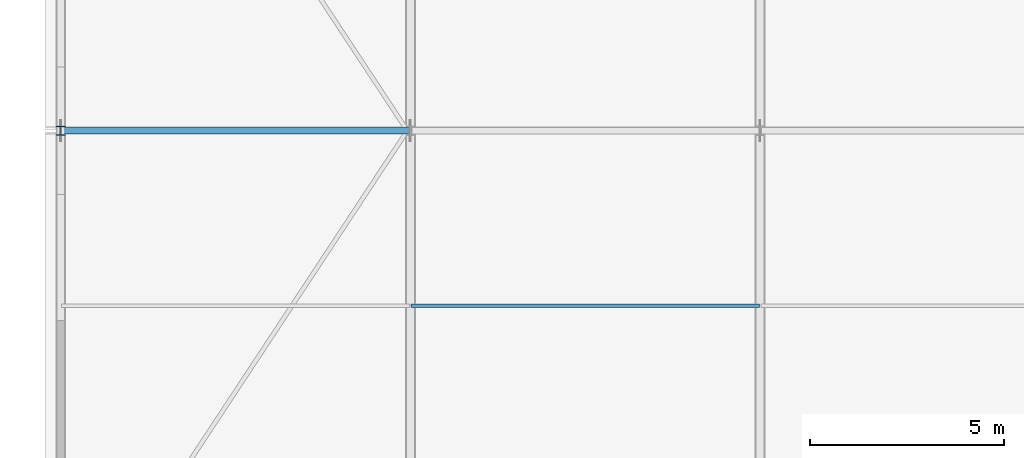
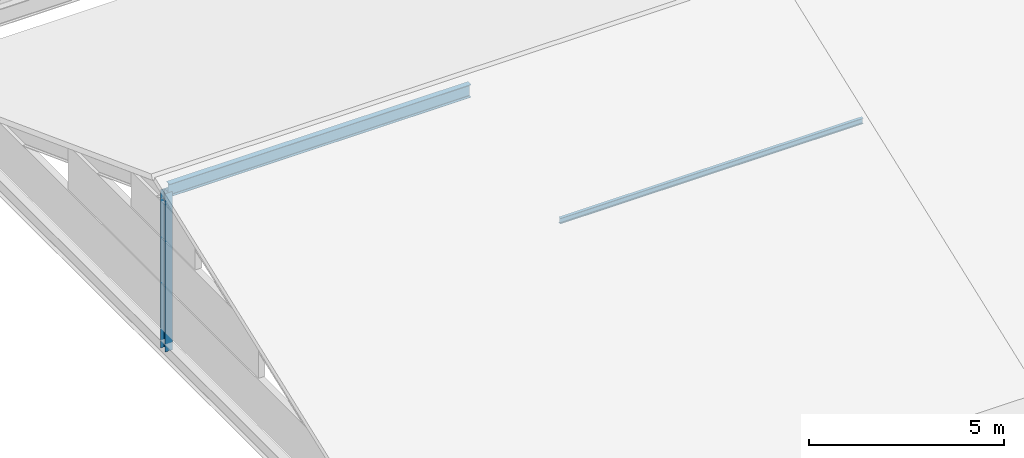
# One storey, part 28 of 163: 3 members.
"""IFC4 building model written with IfcOpenShell, lengths in metres."""

import ifcopenshell
import ifcopenshell.guid

model = None  # the IFC model being written
_history = None  # IfcOwnerHistory: only IFC2X3 demands one
_inside = {}  # id of a spatial element -> (the spatial element, [elements in it])
_under = {}  # id of a project, library or spatial element -> (it, [spatial elements below it])
_declared = {}  # id of a project -> (the project, [libraries it declares])
_typed = {}  # id of a type object -> (the type object, [elements of that type])
_made_of = {}  # id of a material, layer set ... -> (it, [elements and type objects made of it])


def new_model(schema):
    """Start an empty IFC model of exactly this schema.

    Asked for "IFC4X3", IfcOpenShell would pick the latest addendum, in which some entities
    have other attributes; the version numbers below select the first issue.
    IFC2X3 requires an IfcOwnerHistory on every rooted entity: one is made here for all.
    """
    global model, _history
    if schema == "IFC4X3":
        model = ifcopenshell.file(schema_version=(4, 3, 0, 0))
    else:
        model = ifcopenshell.file(schema=schema)
    _inside.clear()
    _under.clear()
    _declared.clear()
    _typed.clear()
    _made_of.clear()
    _history = None
    if model.schema == "IFC2X3":
        org = make("IfcOrganization", Name="unknown")
        user = make(
            "IfcPersonAndOrganization",
            ThePerson=make("IfcPerson", FamilyName="unknown"),
            TheOrganization=org,
        )
        app = make(
            "IfcApplication",
            ApplicationDeveloper=org,
            Version="unknown",
            ApplicationFullName="unknown",
            ApplicationIdentifier="unknown",
        )
        _history = make(
            "IfcOwnerHistory",
            OwningUser=user,
            OwningApplication=app,
            ChangeAction="ADDED",
            CreationDate=0,
        )
    return model


def make(cls, **values):
    """One entity of the class cls with the attributes given. An attribute that is None is left unset."""
    return model.create_entity(
        cls, **{name: value for name, value in values.items() if value is not None}
    )


def rooted(cls, **values):
    """An entity with a GlobalId (a new one), such as an element, a storey or a relation."""
    return make(cls, GlobalId=ifcopenshell.guid.new(), OwnerHistory=_history, **values)


def si_unit(unit_type, name, prefix=None):
    """IfcSIUnit, for example si_unit("LENGTHUNIT", "METRE", prefix="MILLI")."""
    return make("IfcSIUnit", UnitType=unit_type, Prefix=prefix, Name=name)


def assignment(units):
    """IfcUnitAssignment: the units of a project."""
    return None if units is None else make("IfcUnitAssignment", Units=units)


def point(xyz):
    """IfcCartesianPoint."""
    return None if xyz is None else make("IfcCartesianPoint", Coordinates=xyz)


def direction(xyz):
    """IfcDirection."""
    return None if xyz is None else make("IfcDirection", DirectionRatios=xyz)


def frame(location, z_axis=None, x_axis=None):
    """IfcAxis2Placement3D, a coordinate frame: its origin and axes. An axis left out is left unset."""
    return make(
        "IfcAxis2Placement3D",
        Location=point(location),
        Axis=direction(z_axis),
        RefDirection=direction(x_axis),
    )


def frame_2d(location, x_axis=None):
    """IfcAxis2Placement2D, a coordinate frame in the plane: its origin and x axis."""
    return make(
        "IfcAxis2Placement2D", Location=point(location), RefDirection=direction(x_axis)
    )


def origin():
    """The frame at (0, 0, 0) with its axes left unset."""
    return frame((0.0, 0.0, 0.0))


def origin_2d():
    """The frame at (0, 0) in the plane with its x axis left unset."""
    return frame_2d((0.0, 0.0))


def place(relative_to, where):
    """IfcLocalPlacement: puts the frame where relative to a parent placement (None: the world)."""
    return make(
        "IfcLocalPlacement", PlacementRelTo=relative_to, RelativePlacement=where
    )


def context(
    kind, dimensions, precision=None, world=None, true_north=None, identifier=None
):
    """IfcGeometricRepresentationContext, for example the 3D "Model" context."""
    return make(
        "IfcGeometricRepresentationContext",
        ContextIdentifier=identifier,
        ContextType=kind,
        CoordinateSpaceDimension=dimensions,
        Precision=precision,
        WorldCoordinateSystem=world,
        TrueNorth=true_north,
    )


def subcontext(parent, identifier, kind, view, scale=None):
    """IfcGeometricRepresentationSubContext, for example "Body" below "Model"."""
    return make(
        "IfcGeometricRepresentationSubContext",
        ContextIdentifier=identifier,
        ContextType=kind,
        ParentContext=parent,
        TargetScale=scale,
        TargetView=view,
    )


def project(units=None, contexts=None):
    """IfcProject with its units and contexts."""
    return rooted(
        "IfcProject",
        Name="project",
        RepresentationContexts=contexts,
        UnitsInContext=assignment(units),
    )


def spatial(cls, under=None, at=None, **own):
    """A site, building, storey or space (cls), placed at a placement, below another one or the project."""
    s = rooted(cls, ObjectPlacement=at, **own)
    if under is not None:
        _under.setdefault(under.id(), (under, []))[1].append(s)
    return s


def profile(cls, at=None, kind="AREA", **sizes):
    """A parametric profile (cls). Its sizes go by their IFC names, for example OverallWidth=200.0."""
    return make(cls, ProfileType=kind, Position=at, **sizes)


def i_section(**sizes):
    """IfcIShapeProfileDef."""
    return profile("IfcIShapeProfileDef", **sizes)


def extrude(swept, where, along, depth):
    """IfcExtrudedAreaSolid: the profile swept, set in the frame where, extruded along a direction by depth."""
    return make(
        "IfcExtrudedAreaSolid",
        SweptArea=swept,
        Position=where,
        ExtrudedDirection=direction(along),
        Depth=depth,
    )


def shape(context_of_items, identifier, shape_type, items):
    """IfcShapeRepresentation: the items that make up one representation, for example the "Body"."""
    return make(
        "IfcShapeRepresentation",
        ContextOfItems=context_of_items,
        RepresentationIdentifier=identifier,
        RepresentationType=shape_type,
        Items=items,
    )


def material(Name=None, Category=None):
    """IfcMaterial."""
    return make("IfcMaterial", Name=Name, Category=Category)


def material_profile(
    of_material, cross_section, Name=None, Category=None, Priority=None
):
    """IfcMaterialProfile: a cross section and its material."""
    return make(
        "IfcMaterialProfile",
        Name=Name,
        Material=of_material,
        Profile=cross_section,
        Priority=Priority,
        Category=Category,
    )


def profile_set(profiles, Name=None, composite=None):
    """IfcMaterialProfileSet."""
    return make(
        "IfcMaterialProfileSet",
        Name=Name,
        MaterialProfiles=profiles,
        CompositeProfile=composite,
    )


def made_of(thing, what):
    """Note that an element or type object is made of a material, layer set ...; save() writes the relation."""
    if what is not None:
        _made_of.setdefault(what.id(), (what, []))[1].append(thing)
    return thing


def type_object(cls, material=None, **own):
    """A type object (cls), such as IfcWallType, which elements share."""
    return made_of(rooted(cls, **own), material)


def element(
    cls,
    number,
    at=None,
    inside=None,
    cuts=None,
    type_object=None,
    material=None,
    context=None,
    identifier="Body",
    shape_type=None,
    held_by="IfcProductDefinitionShape",
    body=None,
    shapes=None,
    **own,
):
    """One element of the class cls, such as IfcWall. Its Tag is "e" and its number.

    at: its placement. inside: the storey or other place that contains it. cuts: it is an
    opening in that element (IfcRelVoidsElement). A single representation is given by context,
    identifier, shape_type and body (its items); several are given by shapes. held_by: the class
    of the entity that holds the representations. save() writes the other relations.
    """
    e = rooted(cls, Tag="e%d" % number, ObjectPlacement=at, **own)
    if body is not None:
        shapes = [shape(context, identifier, shape_type, body)]
    if shapes is not None:
        e.Representation = make(held_by, Representations=shapes)
    if inside is not None:
        _inside.setdefault(inside.id(), (inside, []))[1].append(e)
    if cuts is not None:
        rooted(
            "IfcRelVoidsElement", RelatingBuildingElement=cuts, RelatedOpeningElement=e
        )
    if type_object is not None:
        _typed.setdefault(type_object.id(), (type_object, []))[1].append(e)
    return made_of(e, material)


def aggregate(whole, parts):
    """IfcRelAggregates: a whole, such as a stair, and the parts it consists of."""
    return rooted("IfcRelAggregates", RelatingObject=whole, RelatedObjects=parts)


def save(model, path):
    """Write the relations noted so far, then the file.

    IfcRelAggregates (storeys below a building ...), IfcRelContainedInSpatialStructure (elements
    in a storey), IfcRelDefinesByType, IfcRelAssociatesMaterial and IfcRelDeclares: one each for
    every whole, place, type object, material and project.
    """
    for whole, parts in _under.values():
        aggregate(whole, parts)
    for where, things in _inside.values():
        rooted(
            "IfcRelContainedInSpatialStructure",
            RelatedElements=things,
            RelatingStructure=where,
        )
    for kind, things in _typed.values():
        rooted("IfcRelDefinesByType", RelatedObjects=things, RelatingType=kind)
    for what, things in _made_of.values():
        rooted("IfcRelAssociatesMaterial", RelatedObjects=things, RelatingMaterial=what)
    for by, libraries in _declared.values():
        rooted("IfcRelDeclares", RelatingContext=by, RelatedDefinitions=libraries)
    model.write(path)


model = new_model("IFC4")

# Units and contexts
model_context = context("Model", 3, precision=1e-05, world=origin(), true_north=direction((0.0, 1.0)))
body_context = subcontext(model_context, "Body", "Model", "MODEL_VIEW")
ifc_project = project(units=[si_unit("LENGTHUNIT", "METRE"), si_unit("AREAUNIT", "SQUARE_METRE"), si_unit("VOLUMEUNIT", "CUBIC_METRE"), si_unit("PLANEANGLEUNIT", "RADIAN"), si_unit("MASSUNIT", "GRAM", prefix="KILO")], contexts=[model_context])

# Site, building, storey
site_placement = place(None, origin())
site = spatial("IfcSite", under=ifc_project, at=site_placement, CompositionType="ELEMENT")
building_placement = place(site_placement, origin())
building = spatial("IfcBuilding", under=site, at=building_placement, Name="Tharagai Park Tramway Depot", CompositionType="ELEMENT")
storey_placement = place(building_placement, frame((0.0, 0.0, 8.39990234375)))
storey = spatial("IfcBuildingStorey", under=building, at=storey_placement, Name="L02", CompositionType="ELEMENT", Elevation=8.39990234375)

# Members
ifc_material_1 = material(Name="Steel E350", Category="steel")
ifc_material_profile_1 = material_profile(ifc_material_1, i_section(OverallWidth=0.22509765625, OverallDepth=0.22509765625, WebThickness=0.008544921875, FlangeThickness=0.009033203125, FilletRadius=0.010009765625, at=origin_2d()), Name="ISHB 225")
ifc_profile_set_1 = profile_set([ifc_material_profile_1], Name="Steel E350")
member_type_1 = type_object("IfcMemberType", Name="BR-02", PredefinedType="BRACE", material=ifc_profile_set_1)
member_1_placement = place(storey_placement, frame((0.0, 76.5, -0.5), z_axis=(0.0, 0.0, 1.0), x_axis=(1.0, 0.0, 0.0)))
element("IfcMember", 1, at=member_1_placement, inside=storey, type_object=member_type_1, Name="V2B Gable King Strut BR-02", PredefinedType="BRACE", context=body_context, shape_type="SweptSolid", body=[
    extrude(i_section(OverallWidth=0.22509765625, OverallDepth=0.22509765625, WebThickness=0.008544921875, FlangeThickness=0.009033203125, FilletRadius=0.010009765625, at=origin_2d()), origin(), (0.0, 0.0, 1.0), 4.946044921875),
])
ifc_material_2 = material(Name="Steel E250", Category="steel")
ifc_material_profile_2 = material_profile(ifc_material_2, i_section(OverallWidth=0.090087890625, OverallDepth=0.175048828125, WebThickness=0.005615234375, FlangeThickness=0.009033203125, FilletRadius=0.010009765625, at=origin_2d()), Name="ISMB 175")
ifc_profile_set_2 = profile_set([ifc_material_profile_2], Name="Steel E250")
member_type_2 = type_object("IfcMemberType", Name="PR-01", PredefinedType="PURLIN", material=ifc_profile_set_2)
member_2_placement = place(storey_placement, frame((9.02001953125, 72.0, 3.0810546875), z_axis=(1.0, 0.0, 0.0), x_axis=(0.0, 1.0, 0.0)))
element("IfcMember", 2, at=member_2_placement, inside=storey, type_object=member_type_2, Name="V2B Roof Purlin PR-01", PredefinedType="PURLIN", context=body_context, shape_type="SweptSolid", body=[
    extrude(i_section(OverallWidth=0.090087890625, OverallDepth=0.175048828125, WebThickness=0.005615234375, FlangeThickness=0.009033203125, FilletRadius=0.010009765625, at=origin_2d()), origin(), (0.0, 0.0, 1.0), 8.9599609375),
])
ifc_material_profile_3 = material_profile(ifc_material_1, i_section(OverallWidth=0.1650390625, OverallDepth=0.39990234375, WebThickness=0.008056640625, FlangeThickness=0.012451171875, FilletRadius=0.013916015625, at=origin_2d()), Name="ISLB 400")
ifc_profile_set_3 = profile_set([ifc_material_profile_3], Name="Steel E350")
member_type_3 = type_object("IfcMemberType", Name="TC-04", PredefinedType="CHORD", material=ifc_profile_set_3)
member_3_placement = place(storey_placement, frame((0.0400390625, 76.5, 4.470947265625), z_axis=(1.0, 0.0, 0.0), x_axis=(0.0, 1.0, 0.0)))
element("IfcMember", 3, at=member_3_placement, inside=storey, type_object=member_type_3, Name="V2B Roof Ridge Chord TC-04", PredefinedType="CHORD", context=body_context, shape_type="SweptSolid", body=[
    extrude(i_section(OverallWidth=0.1650390625, OverallDepth=0.39990234375, WebThickness=0.008056640625, FlangeThickness=0.012451171875, FilletRadius=0.013916015625, at=origin_2d()), origin(), (0.0, 0.0, 1.0), 8.919921875),
])

save(model, "model.ifc")
